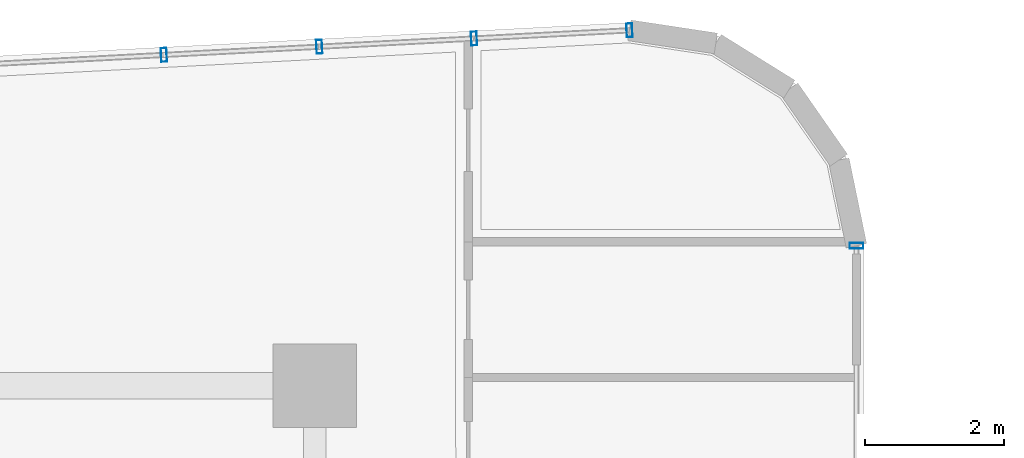
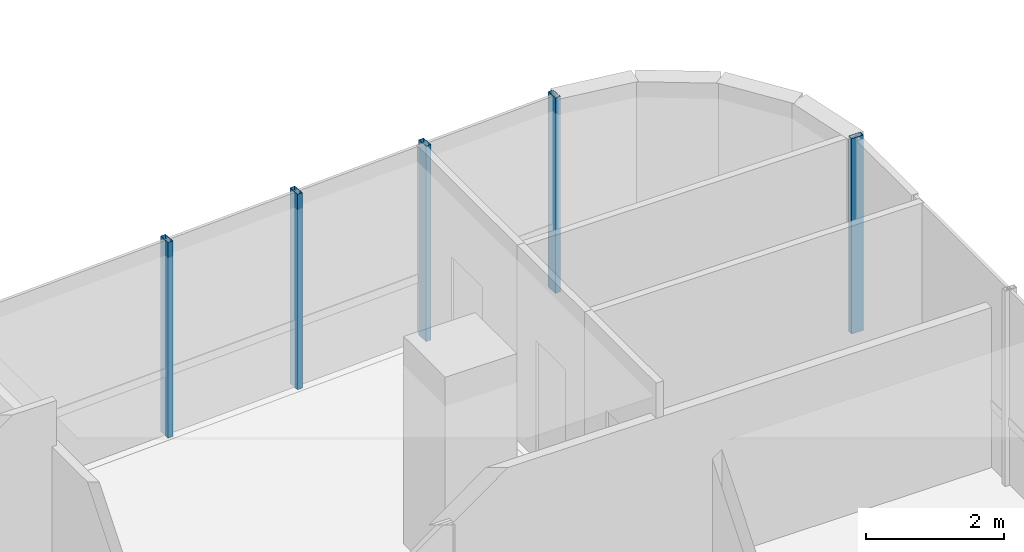
# One storey, part 22 of 34: 5 members, 2 elements without a shape of their own.
"""IFC4 building model written with IfcOpenShell, lengths in metres."""

from ifc_helpers import new_model, si_unit, direction, frame, origin, origin_2d, place, context, subcontext, project, spatial, hollow_rectangle, extrude, source, transform, mapped, material, material_profile, profile_set, type_object, element, aggregate, save


model = new_model("IFC4")

# Units and contexts
model_context = context("Model", 3, precision=1e-05, world=origin(), true_north=direction((0.0, 1.0)))
body_context = subcontext(model_context, "Body", "Model", "MODEL_VIEW")
ifc_project = project(units=[si_unit("LENGTHUNIT", "METRE"), si_unit("AREAUNIT", "SQUARE_METRE"), si_unit("VOLUMEUNIT", "CUBIC_METRE"), si_unit("PLANEANGLEUNIT", "RADIAN"), si_unit("MASSUNIT", "GRAM", prefix="KILO")], contexts=[model_context])

# Site, building, storey
site_placement = place(None, origin())
site = spatial("IfcSite", under=ifc_project, at=site_placement, CompositionType="ELEMENT")
building_placement = place(site_placement, origin())
building = spatial("IfcBuilding", under=site, at=building_placement, Name="Valdorenza Pilgrim Sanctuary Tower", CompositionType="ELEMENT")
storey_placement = place(building_placement, frame((0.0, 0.0, 161.199951171875)))
storey = spatial("IfcBuildingStorey", under=building, at=storey_placement, Name="L41", CompositionType="ELEMENT", Elevation=161.199951171875)

# Curtain wall, members
ifc_material_1 = material(Name="Curtain-wall IGU glazing", Category="glass")
curtain_wall_type = type_object("IfcCurtainWallType", Name="CW-SYS-02", PredefinedType="NOTDEFINED", material=ifc_material_1)
curtain_wall_1_placement = place(storey_placement, origin())
curtain_wall_1 = element("IfcCurtainWall", 1, at=curtain_wall_1_placement, inside=storey, type_object=curtain_wall_type, Name="L41 Curtain Wall CW-L41-1-6", PredefinedType="NOTDEFINED")
ifc_material_2 = material(Name="Anodised aluminium AW-6060", Category="aluminium")
ifc_material_profile = material_profile(ifc_material_2, hollow_rectangle(XDim=0.0849609375, YDim=0.199951171875, WallThickness=0.0048828125, at=origin_2d()), Name="ALU-M 200x85x5")
ifc_profile_set = profile_set([ifc_material_profile], Name="Anodised aluminium AW-6060")
member_type = type_object("IfcMemberType", Name="CW-MUL-02", PredefinedType="MULLION", material=ifc_profile_set)
shared_shape = source(origin(), body_context, "Body", "SweptSolid", [
    extrude(hollow_rectangle(XDim=0.0849609375, YDim=0.199951171875, WallThickness=0.0048828125, at=origin_2d()), origin(), (0.0, 0.0, 1.0), 3.4599609375),
])
member_1_placement = place(storey_placement, frame((-14.56689453125, 19.55810546875, 0.0), z_axis=(0.0, 0.0, 1.0), x_axis=(0.998607524712, 0.052754256601, 0.0)))
member_1 = element("IfcMember", 2, at=member_1_placement, type_object=member_type, Name="CW-L41-1-6 Mullion 3", PredefinedType="MULLION", context=body_context, shape_type="MappedRepresentation", body=[
    mapped(shared_shape, transform((0.0, 0.0, 0.0), x_axis=(1.0, 0.0, 0.0), y_axis=(0.0, 1.0, 0.0), z_axis=(0.0, 0.0, 1.0), scale=1.0)),
])
member_2_placement = place(storey_placement, frame((-7.874267578125, 19.91162109375, 0.0), z_axis=(0.0, 0.0, 1.0), x_axis=(0.998607524712, 0.052754256601, 0.0)))
member_2 = element("IfcMember", 3, at=member_2_placement, type_object=member_type, Name="CW-L41-1-6 Mullion 4", PredefinedType="MULLION", context=body_context, shape_type="MappedRepresentation", body=[
    mapped(shared_shape, transform((0.0, 0.0, 0.0), x_axis=(1.0, 0.0, 0.0), y_axis=(0.0, 1.0, 0.0), z_axis=(0.0, 0.0, 1.0), scale=1.0)),
])

# Curtain wall, member
curtain_wall_2_placement = place(storey_placement, origin())
curtain_wall_2 = element("IfcCurtainWall", 4, at=curtain_wall_2_placement, inside=storey, type_object=curtain_wall_type, Name="L41 Curtain Wall CW-L41-1-11", PredefinedType="NOTDEFINED")
member_3_placement = place(storey_placement, frame((-4.610107421875, 16.815185546875, 0.0), z_axis=(0.0, 0.0, 1.0), x_axis=(0.0, -1.0, 0.0)))
member_3 = element("IfcMember", 5, at=member_3_placement, type_object=member_type, Name="CW-L41-1-11 Mullion 1", PredefinedType="MULLION", context=body_context, shape_type="MappedRepresentation", body=[
    mapped(shared_shape, transform((0.0, 0.0, 0.0), x_axis=(1.0, 0.0, 0.0), y_axis=(0.0, 1.0, 0.0), z_axis=(0.0, 0.0, 1.0), scale=1.0)),
])
aggregate(curtain_wall_2, [member_3])

# Member
member_4_placement = place(storey_placement, frame((-12.332763671875, 19.676025390625, 0.0), z_axis=(0.0, 0.0, 1.0), x_axis=(0.998607524712, 0.052754256601, 0.0)))
member_4 = element("IfcMember", 6, at=member_4_placement, type_object=member_type, Name="CW-L41-1-6 Sub-Mullion 66-1", PredefinedType="MULLION", context=body_context, shape_type="MappedRepresentation", body=[
    mapped(shared_shape, transform((0.0, 0.0, 0.0), x_axis=(1.0, 0.0, 0.0), y_axis=(0.0, 1.0, 0.0), z_axis=(0.0, 0.0, 1.0), scale=1.0)),
])

member_5_placement = place(storey_placement, frame((-10.1083984375, 19.793701171875, 0.0), z_axis=(0.0, 0.0, 1.0), x_axis=(0.998607524712, 0.052754256601, 0.0)))
member_5 = element("IfcMember", 7, at=member_5_placement, type_object=member_type, Name="CW-L41-1-6 Sub-Mullion 66-2", PredefinedType="MULLION", context=body_context, shape_type="MappedRepresentation", body=[
    mapped(shared_shape, transform((0.0, 0.0, 0.0), x_axis=(1.0, 0.0, 0.0), y_axis=(0.0, 1.0, 0.0), z_axis=(0.0, 0.0, 1.0), scale=1.0)),
])

aggregate(curtain_wall_1, [member_1, member_2, member_4, member_5])

save(model, "model.ifc")
